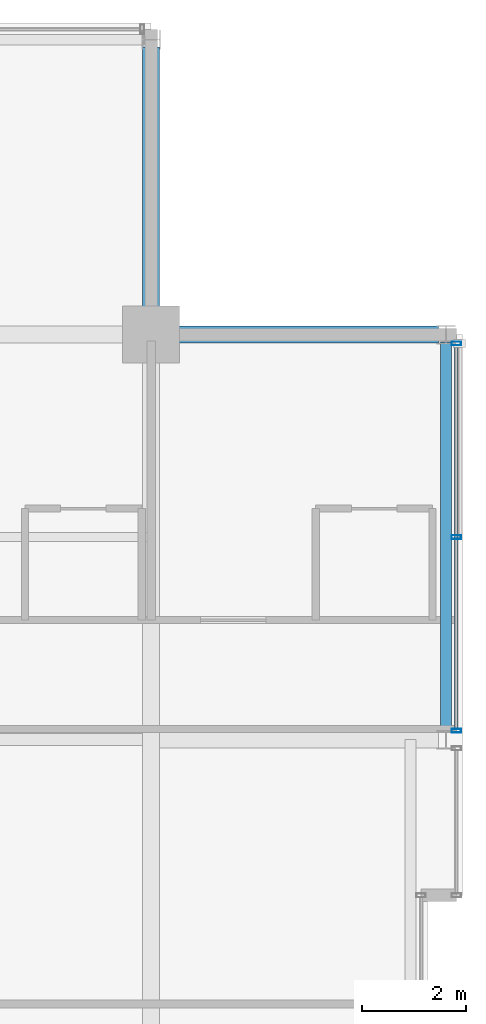
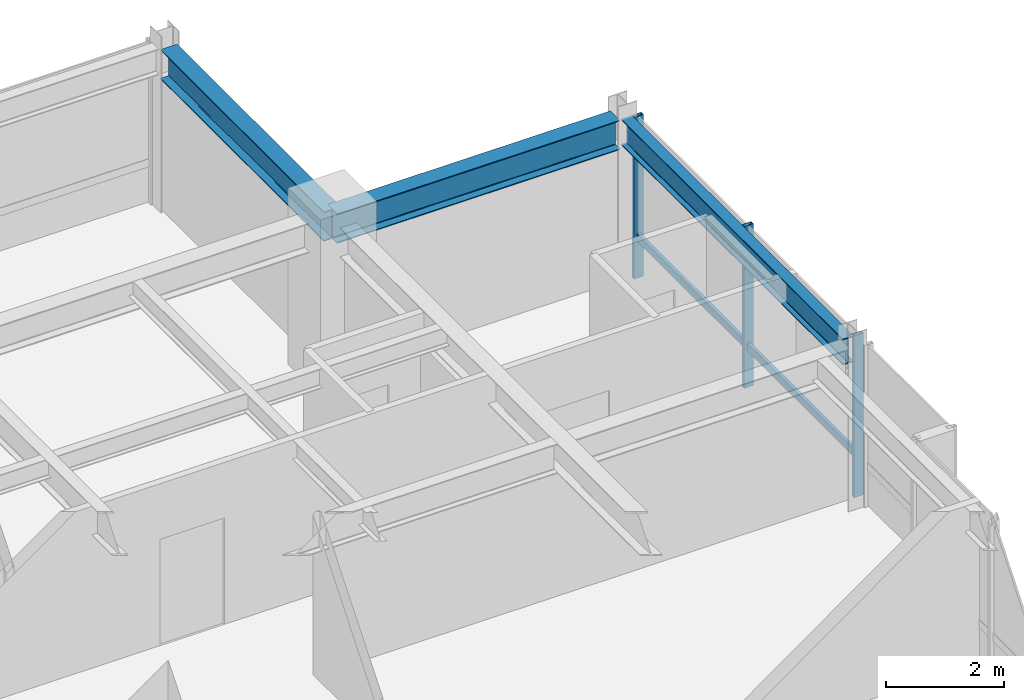
# One storey, part 25 of 34: 4 members, 3 beams, 1 element without a shape of its own.
"""IFC4 building model written with IfcOpenShell, lengths in metres."""

import ifcopenshell
import ifcopenshell.guid

model = None  # the IFC model being written
_history = None  # IfcOwnerHistory: only IFC2X3 demands one
_inside = {}  # id of a spatial element -> (the spatial element, [elements in it])
_under = {}  # id of a project, library or spatial element -> (it, [spatial elements below it])
_declared = {}  # id of a project -> (the project, [libraries it declares])
_typed = {}  # id of a type object -> (the type object, [elements of that type])
_made_of = {}  # id of a material, layer set ... -> (it, [elements and type objects made of it])


def new_model(schema):
    """Start an empty IFC model of exactly this schema.

    Asked for "IFC4X3", IfcOpenShell would pick the latest addendum, in which some entities
    have other attributes; the version numbers below select the first issue.
    IFC2X3 requires an IfcOwnerHistory on every rooted entity: one is made here for all.
    """
    global model, _history
    if schema == "IFC4X3":
        model = ifcopenshell.file(schema_version=(4, 3, 0, 0))
    else:
        model = ifcopenshell.file(schema=schema)
    _inside.clear()
    _under.clear()
    _declared.clear()
    _typed.clear()
    _made_of.clear()
    _history = None
    if model.schema == "IFC2X3":
        org = make("IfcOrganization", Name="unknown")
        user = make(
            "IfcPersonAndOrganization",
            ThePerson=make("IfcPerson", FamilyName="unknown"),
            TheOrganization=org,
        )
        app = make(
            "IfcApplication",
            ApplicationDeveloper=org,
            Version="unknown",
            ApplicationFullName="unknown",
            ApplicationIdentifier="unknown",
        )
        _history = make(
            "IfcOwnerHistory",
            OwningUser=user,
            OwningApplication=app,
            ChangeAction="ADDED",
            CreationDate=0,
        )
    return model


def make(cls, **values):
    """One entity of the class cls with the attributes given. An attribute that is None is left unset."""
    return model.create_entity(
        cls, **{name: value for name, value in values.items() if value is not None}
    )


def rooted(cls, **values):
    """An entity with a GlobalId (a new one), such as an element, a storey or a relation."""
    return make(cls, GlobalId=ifcopenshell.guid.new(), OwnerHistory=_history, **values)


def si_unit(unit_type, name, prefix=None):
    """IfcSIUnit, for example si_unit("LENGTHUNIT", "METRE", prefix="MILLI")."""
    return make("IfcSIUnit", UnitType=unit_type, Prefix=prefix, Name=name)


def assignment(units):
    """IfcUnitAssignment: the units of a project."""
    return None if units is None else make("IfcUnitAssignment", Units=units)


def point(xyz):
    """IfcCartesianPoint."""
    return None if xyz is None else make("IfcCartesianPoint", Coordinates=xyz)


def direction(xyz):
    """IfcDirection."""
    return None if xyz is None else make("IfcDirection", DirectionRatios=xyz)


def frame(location, z_axis=None, x_axis=None):
    """IfcAxis2Placement3D, a coordinate frame: its origin and axes. An axis left out is left unset."""
    return make(
        "IfcAxis2Placement3D",
        Location=point(location),
        Axis=direction(z_axis),
        RefDirection=direction(x_axis),
    )


def frame_2d(location, x_axis=None):
    """IfcAxis2Placement2D, a coordinate frame in the plane: its origin and x axis."""
    return make(
        "IfcAxis2Placement2D", Location=point(location), RefDirection=direction(x_axis)
    )


def origin():
    """The frame at (0, 0, 0) with its axes left unset."""
    return frame((0.0, 0.0, 0.0))


def origin_2d():
    """The frame at (0, 0) in the plane with its x axis left unset."""
    return frame_2d((0.0, 0.0))


def place(relative_to, where):
    """IfcLocalPlacement: puts the frame where relative to a parent placement (None: the world)."""
    return make(
        "IfcLocalPlacement", PlacementRelTo=relative_to, RelativePlacement=where
    )


def context(
    kind, dimensions, precision=None, world=None, true_north=None, identifier=None
):
    """IfcGeometricRepresentationContext, for example the 3D "Model" context."""
    return make(
        "IfcGeometricRepresentationContext",
        ContextIdentifier=identifier,
        ContextType=kind,
        CoordinateSpaceDimension=dimensions,
        Precision=precision,
        WorldCoordinateSystem=world,
        TrueNorth=true_north,
    )


def subcontext(parent, identifier, kind, view, scale=None):
    """IfcGeometricRepresentationSubContext, for example "Body" below "Model"."""
    return make(
        "IfcGeometricRepresentationSubContext",
        ContextIdentifier=identifier,
        ContextType=kind,
        ParentContext=parent,
        TargetScale=scale,
        TargetView=view,
    )


def project(units=None, contexts=None):
    """IfcProject with its units and contexts."""
    return rooted(
        "IfcProject",
        Name="project",
        RepresentationContexts=contexts,
        UnitsInContext=assignment(units),
    )


def spatial(cls, under=None, at=None, **own):
    """A site, building, storey or space (cls), placed at a placement, below another one or the project."""
    s = rooted(cls, ObjectPlacement=at, **own)
    if under is not None:
        _under.setdefault(under.id(), (under, []))[1].append(s)
    return s


def profile(cls, at=None, kind="AREA", **sizes):
    """A parametric profile (cls). Its sizes go by their IFC names, for example OverallWidth=200.0."""
    return make(cls, ProfileType=kind, Position=at, **sizes)


def hollow_rectangle(**sizes):
    """IfcRectangleHollowProfileDef."""
    return profile("IfcRectangleHollowProfileDef", **sizes)


def i_section(**sizes):
    """IfcIShapeProfileDef."""
    return profile("IfcIShapeProfileDef", **sizes)


def extrude(swept, where, along, depth):
    """IfcExtrudedAreaSolid: the profile swept, set in the frame where, extruded along a direction by depth."""
    return make(
        "IfcExtrudedAreaSolid",
        SweptArea=swept,
        Position=where,
        ExtrudedDirection=direction(along),
        Depth=depth,
    )


def shape(context_of_items, identifier, shape_type, items):
    """IfcShapeRepresentation: the items that make up one representation, for example the "Body"."""
    return make(
        "IfcShapeRepresentation",
        ContextOfItems=context_of_items,
        RepresentationIdentifier=identifier,
        RepresentationType=shape_type,
        Items=items,
    )


def material(Name=None, Category=None):
    """IfcMaterial."""
    return make("IfcMaterial", Name=Name, Category=Category)


def layer(
    of_material, thickness, ventilated=None, Name=None, Category=None, Priority=None
):
    """IfcMaterialLayer: one layer of a wall or slab, of a material (None: an air gap)."""
    return make(
        "IfcMaterialLayer",
        Material=of_material,
        LayerThickness=thickness,
        IsVentilated=ventilated,
        Name=Name,
        Category=Category,
        Priority=Priority,
    )


def layer_set(layers, Name=None):
    """IfcMaterialLayerSet."""
    return make("IfcMaterialLayerSet", MaterialLayers=layers, LayerSetName=Name)


def material_profile(
    of_material, cross_section, Name=None, Category=None, Priority=None
):
    """IfcMaterialProfile: a cross section and its material."""
    return make(
        "IfcMaterialProfile",
        Name=Name,
        Material=of_material,
        Profile=cross_section,
        Priority=Priority,
        Category=Category,
    )


def profile_set(profiles, Name=None, composite=None):
    """IfcMaterialProfileSet."""
    return make(
        "IfcMaterialProfileSet",
        Name=Name,
        MaterialProfiles=profiles,
        CompositeProfile=composite,
    )


def made_of(thing, what):
    """Note that an element or type object is made of a material, layer set ...; save() writes the relation."""
    if what is not None:
        _made_of.setdefault(what.id(), (what, []))[1].append(thing)
    return thing


def type_object(cls, material=None, **own):
    """A type object (cls), such as IfcWallType, which elements share."""
    return made_of(rooted(cls, **own), material)


def element(
    cls,
    number,
    at=None,
    inside=None,
    cuts=None,
    type_object=None,
    material=None,
    context=None,
    identifier="Body",
    shape_type=None,
    held_by="IfcProductDefinitionShape",
    body=None,
    shapes=None,
    **own,
):
    """One element of the class cls, such as IfcWall. Its Tag is "e" and its number.

    at: its placement. inside: the storey or other place that contains it. cuts: it is an
    opening in that element (IfcRelVoidsElement). A single representation is given by context,
    identifier, shape_type and body (its items); several are given by shapes. held_by: the class
    of the entity that holds the representations. save() writes the other relations.
    """
    e = rooted(cls, Tag="e%d" % number, ObjectPlacement=at, **own)
    if body is not None:
        shapes = [shape(context, identifier, shape_type, body)]
    if shapes is not None:
        e.Representation = make(held_by, Representations=shapes)
    if inside is not None:
        _inside.setdefault(inside.id(), (inside, []))[1].append(e)
    if cuts is not None:
        rooted(
            "IfcRelVoidsElement", RelatingBuildingElement=cuts, RelatedOpeningElement=e
        )
    if type_object is not None:
        _typed.setdefault(type_object.id(), (type_object, []))[1].append(e)
    return made_of(e, material)


def aggregate(whole, parts):
    """IfcRelAggregates: a whole, such as a stair, and the parts it consists of."""
    return rooted("IfcRelAggregates", RelatingObject=whole, RelatedObjects=parts)


def save(model, path):
    """Write the relations noted so far, then the file.

    IfcRelAggregates (storeys below a building ...), IfcRelContainedInSpatialStructure (elements
    in a storey), IfcRelDefinesByType, IfcRelAssociatesMaterial and IfcRelDeclares: one each for
    every whole, place, type object, material and project.
    """
    for whole, parts in _under.values():
        aggregate(whole, parts)
    for where, things in _inside.values():
        rooted(
            "IfcRelContainedInSpatialStructure",
            RelatedElements=things,
            RelatingStructure=where,
        )
    for kind, things in _typed.values():
        rooted("IfcRelDefinesByType", RelatedObjects=things, RelatingType=kind)
    for what, things in _made_of.values():
        rooted("IfcRelAssociatesMaterial", RelatedObjects=things, RelatingMaterial=what)
    for by, libraries in _declared.values():
        rooted("IfcRelDeclares", RelatingContext=by, RelatedDefinitions=libraries)
    model.write(path)


model = new_model("IFC4")

# Units and contexts
model_context = context("Model", 3, precision=1e-05, world=origin(), true_north=direction((0.0, 1.0)))
body_context = subcontext(model_context, "Body", "Model", "MODEL_VIEW")
ifc_project = project(units=[si_unit("LENGTHUNIT", "METRE"), si_unit("AREAUNIT", "SQUARE_METRE"), si_unit("VOLUMEUNIT", "CUBIC_METRE"), si_unit("PLANEANGLEUNIT", "RADIAN"), si_unit("MASSUNIT", "GRAM", prefix="KILO")], contexts=[model_context])

# Site, building, storey
site_placement = place(None, origin())
site = spatial("IfcSite", under=ifc_project, at=site_placement, CompositionType="ELEMENT")
building_placement = place(site_placement, origin())
building = spatial("IfcBuilding", under=site, at=building_placement, Name="Drelvath Grand Hotel", CompositionType="ELEMENT")
storey_placement = place(building_placement, frame((0.0, 0.0, 290.550048828125)))
storey = spatial("IfcBuildingStorey", under=building, at=storey_placement, Name="L76", CompositionType="ELEMENT", Elevation=290.550048828125)

# Curtain wall, members
ifc_material_1 = material(Name="Platinum-Mist Anodised Aluminium Frame", Category="aluminium")
ifc_layer = layer(ifc_material_1, 0.199951171875)
ifc_layer_set = layer_set([ifc_layer], Name="Platinum-Mist Anodised Aluminium Frame")
curtain_wall_type = type_object("IfcCurtainWallType", Name="Stick Curtain Wall CW-05 Platinum Mist High-Rise", PredefinedType="NOTDEFINED", material=ifc_layer_set)
curtain_wall_placement = place(storey_placement, origin())
curtain_wall = element("IfcCurtainWall", 1, at=curtain_wall_placement, inside=storey, type_object=curtain_wall_type, Name="L76 CW-05 Curtain Wall CW05-L76-EN2", PredefinedType="NOTDEFINED")
ifc_material_profile_1 = material_profile(ifc_material_1, hollow_rectangle(XDim=0.06494140625, YDim=0.159912109375, WallThickness=0.00390625, at=origin_2d()), Name="HSS160X65X4")
ifc_profile_set_1 = profile_set([ifc_material_profile_1], Name="Platinum-Mist Anodised Aluminium Frame")
member_type_1 = type_object("IfcMemberType", Name="Curtain Wall Horizontal Transom CW-05 HSS160X65X4", PredefinedType="USERDEFINED", material=ifc_profile_set_1)
member_1_placement = place(storey_placement, frame((22.080078125, 42.989990234375, 0.83740234375), z_axis=(0.0, -1.0, 0.0), x_axis=(1.0, 0.0, 0.0)))
member_1 = element("IfcMember", 2, at=member_1_placement, type_object=member_type_1, Name="CW05-L76-EN2 Sill Transom", ObjectType="TRANSOM", PredefinedType="USERDEFINED", context=body_context, shape_type="SweptSolid", body=[
    extrude(hollow_rectangle(XDim=0.06494140625, YDim=0.159912109375, WallThickness=0.00390625, at=origin_2d()), origin(), (0.0, 0.0, 1.0), 7.3798828125),
])
ifc_material_profile_2 = material_profile(ifc_material_1, hollow_rectangle(XDim=0.074951171875, YDim=0.179931640625, WallThickness=0.0048828125, at=origin_2d()), Name="HSS180X75X5")
ifc_profile_set_2 = profile_set([ifc_material_profile_2], Name="Platinum-Mist Anodised Aluminium Frame")
member_type_2 = type_object("IfcMemberType", Name="Curtain Wall Vertical Mullion CW-05 HSS180X75X5", PredefinedType="MULLION", material=ifc_profile_set_2)
member_2_placement = place(storey_placement, frame((22.080078125, 43.030029296875, 0.0), z_axis=(0.0, 0.0, 1.0), x_axis=(0.0, 1.0, 0.0)))
member_2 = element("IfcMember", 3, at=member_2_placement, type_object=member_type_2, Name="CW05-L76-EN2 Mullion 1", PredefinedType="MULLION", context=body_context, shape_type="SweptSolid", body=[
    extrude(hollow_rectangle(XDim=0.074951171875, YDim=0.179931640625, WallThickness=0.0048828125, at=origin_2d()), origin(), (0.0, 0.0, 1.0), 3.349853515625),
])
member_3_placement = place(storey_placement, frame((22.080078125, 39.300048828125, 0.0), z_axis=(0.0, 0.0, 1.0), x_axis=(0.0, 1.0, 0.0)))
member_3 = element("IfcMember", 4, at=member_3_placement, type_object=member_type_2, Name="CW05-L76-EN2 Mullion 2", PredefinedType="MULLION", context=body_context, shape_type="SweptSolid", body=[
    extrude(hollow_rectangle(XDim=0.074951171875, YDim=0.179931640625, WallThickness=0.0048828125, at=origin_2d()), origin(), (0.0, 0.0, 1.0), 3.349853515625),
])
member_4_placement = place(storey_placement, frame((22.080078125, 35.570068359375, 0.0), z_axis=(0.0, 0.0, 1.0), x_axis=(0.0, 1.0, 0.0)))
member_4 = element("IfcMember", 5, at=member_4_placement, type_object=member_type_2, Name="CW05-L76-EN2 Mullion 3", PredefinedType="MULLION", context=body_context, shape_type="SweptSolid", body=[
    extrude(hollow_rectangle(XDim=0.074951171875, YDim=0.179931640625, WallThickness=0.0048828125, at=origin_2d()), origin(), (0.0, 0.0, 1.0), 3.349853515625),
])
aggregate(curtain_wall, [member_2, member_3, member_4, member_1])

# Beams
ifc_material_2 = material(Name="Steel ASTM A992 Gr 50", Category="steel")
ifc_material_profile_3 = material_profile(ifc_material_2, i_section(OverallWidth=0.210205078125, OverallDepth=0.53662109375, WebThickness=0.010986328125, FlangeThickness=0.017333984375, FilletRadius=0.01806640625, at=origin_2d()), Name="W21X68")
ifc_profile_set_3 = profile_set([ifc_material_profile_3], Name="Steel ASTM A992 Gr 50")
beam_type_1 = type_object("IfcBeamType", Name="Perimeter Spandrel Beam W21X68", PredefinedType="SPANDREL", material=ifc_profile_set_3)
beam_placement = place(storey_placement, frame((21.8798828125, 35.5400390625, 3.08154296875), z_axis=(0.0, 1.0, 0.0), x_axis=(-1.0, 0.0, 0.0)))
element("IfcBeam", 6, at=beam_placement, inside=storey, type_object=beam_type_1, Name="L76 Spandrel East N", PredefinedType="SPANDREL", context=body_context, shape_type="SweptSolid", body=[
    extrude(i_section(OverallWidth=0.210205078125, OverallDepth=0.53662109375, WebThickness=0.010986328125, FlangeThickness=0.017333984375, FilletRadius=0.01806640625, at=origin_2d()), origin(), (0.0, 0.0, 1.0), 7.52001953125),
])
ifc_material_profile_4 = material_profile(ifc_material_2, i_section(OverallWidth=0.323974609375, OverallDepth=0.611083984375, WebThickness=0.0126953125, FlangeThickness=0.01904296875, FilletRadius=0.02197265625, at=origin_2d()), Name="W24X104")
ifc_profile_set_4 = profile_set([ifc_material_profile_4], Name="Steel ASTM A992 Gr 50")
beam_type_2 = type_object("IfcBeamType", Name="Primary Floor Girder W24X104", PredefinedType="BEAM", material=ifc_profile_set_4)
for number, where, z_axis, x_axis, name in (
    (7, (16.199951171875, 43.199951171875, 3.04443359375), (1.0, 0.0, 0.0), (0.0, 1.0, 0.0), "L76 East Grid Girder G"),
    (8, (16.199951171875, 43.199951171875, 3.04443359375), (0.0, 1.0, 0.0), (-1.0, 0.0, 0.0), "L76 North Grid Girder 7"),
):
    element("IfcBeam", number, at=place(storey_placement, frame(where, z_axis=z_axis, x_axis=x_axis)), inside=storey, type_object=beam_type_2, Name=name, PredefinedType="BEAM", context=body_context, shape_type="SweptSolid", body=[
        extrude(i_section(OverallWidth=0.323974609375, OverallDepth=0.611083984375, WebThickness=0.0126953125, FlangeThickness=0.01904296875, FilletRadius=0.02197265625, at=origin_2d()), origin(), (0.0, 0.0, 1.0), 5.5400390625),
    ])

save(model, "model.ifc")
